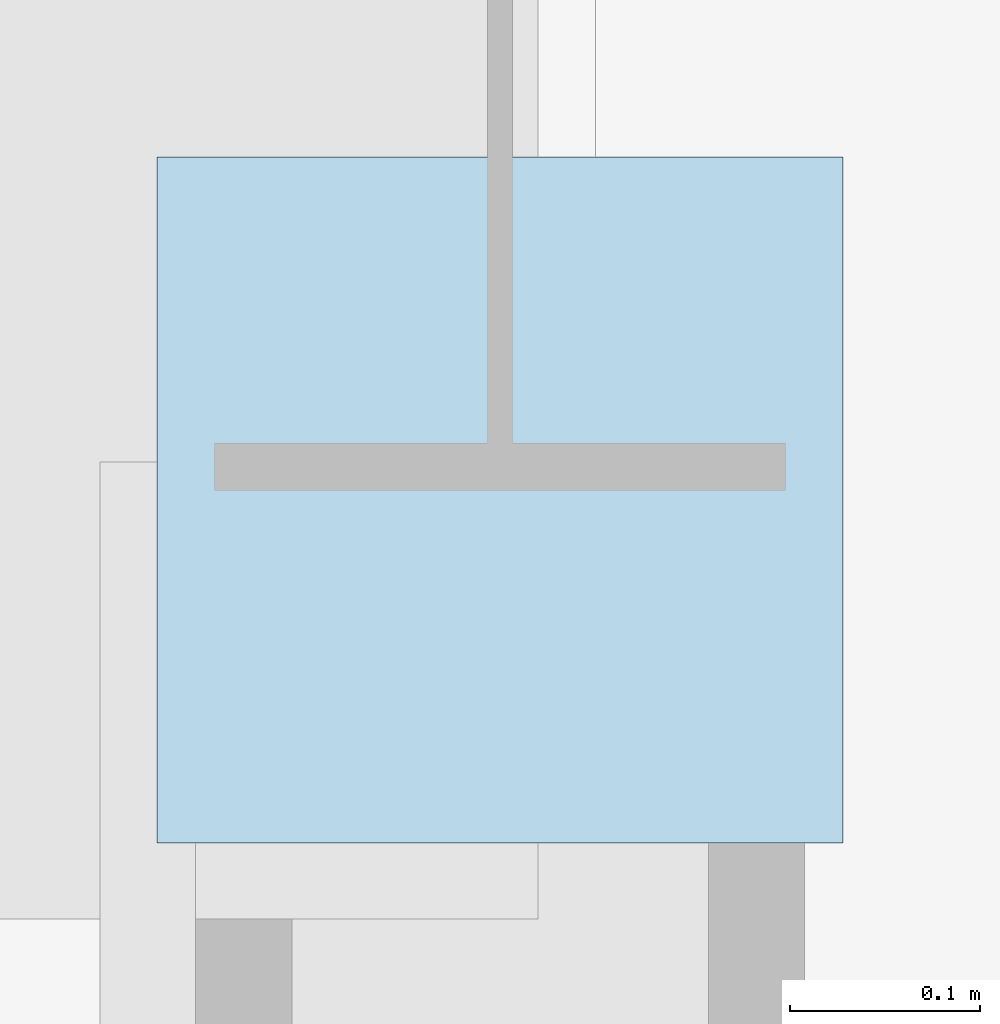
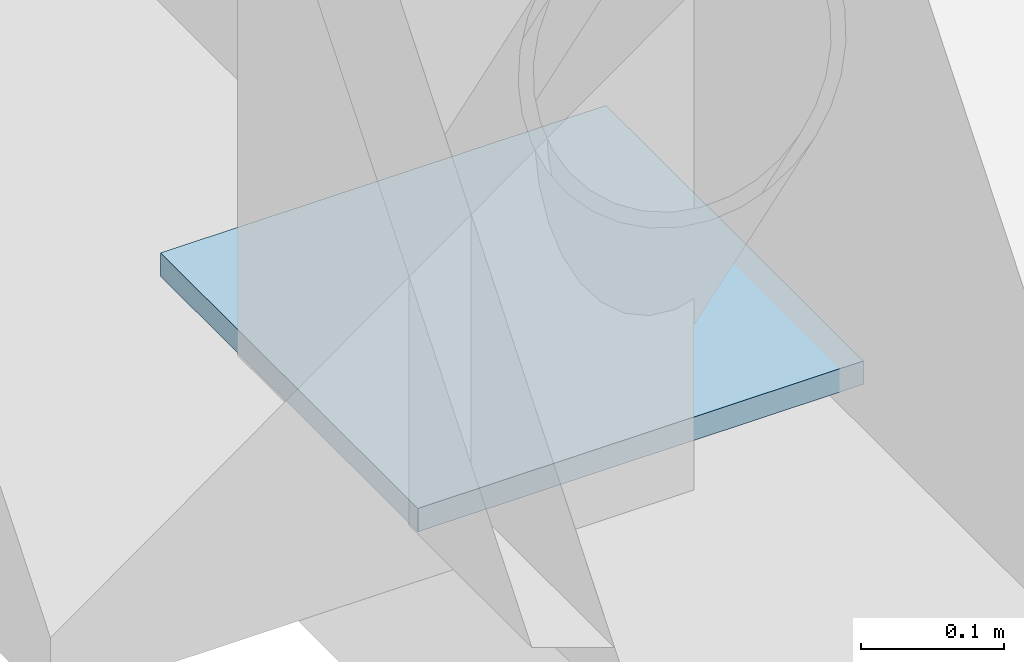
# One storey, part 50 of 85: 1 plate.
"""IFC4 building model written with IfcOpenShell, lengths in metres."""

import ifcopenshell
import ifcopenshell.guid

model = None  # the IFC model being written
_history = None  # IfcOwnerHistory: only IFC2X3 demands one
_inside = {}  # id of a spatial element -> (the spatial element, [elements in it])
_under = {}  # id of a project, library or spatial element -> (it, [spatial elements below it])
_declared = {}  # id of a project -> (the project, [libraries it declares])
_typed = {}  # id of a type object -> (the type object, [elements of that type])
_made_of = {}  # id of a material, layer set ... -> (it, [elements and type objects made of it])


def new_model(schema):
    """Start an empty IFC model of exactly this schema.

    Asked for "IFC4X3", IfcOpenShell would pick the latest addendum, in which some entities
    have other attributes; the version numbers below select the first issue.
    IFC2X3 requires an IfcOwnerHistory on every rooted entity: one is made here for all.
    """
    global model, _history
    if schema == "IFC4X3":
        model = ifcopenshell.file(schema_version=(4, 3, 0, 0))
    else:
        model = ifcopenshell.file(schema=schema)
    _inside.clear()
    _under.clear()
    _declared.clear()
    _typed.clear()
    _made_of.clear()
    _history = None
    if model.schema == "IFC2X3":
        org = make("IfcOrganization", Name="unknown")
        user = make(
            "IfcPersonAndOrganization",
            ThePerson=make("IfcPerson", FamilyName="unknown"),
            TheOrganization=org,
        )
        app = make(
            "IfcApplication",
            ApplicationDeveloper=org,
            Version="unknown",
            ApplicationFullName="unknown",
            ApplicationIdentifier="unknown",
        )
        _history = make(
            "IfcOwnerHistory",
            OwningUser=user,
            OwningApplication=app,
            ChangeAction="ADDED",
            CreationDate=0,
        )
    return model


def make(cls, **values):
    """One entity of the class cls with the attributes given. An attribute that is None is left unset."""
    return model.create_entity(
        cls, **{name: value for name, value in values.items() if value is not None}
    )


def rooted(cls, **values):
    """An entity with a GlobalId (a new one), such as an element, a storey or a relation."""
    return make(cls, GlobalId=ifcopenshell.guid.new(), OwnerHistory=_history, **values)


def si_unit(unit_type, name, prefix=None):
    """IfcSIUnit, for example si_unit("LENGTHUNIT", "METRE", prefix="MILLI")."""
    return make("IfcSIUnit", UnitType=unit_type, Prefix=prefix, Name=name)


def assignment(units):
    """IfcUnitAssignment: the units of a project."""
    return None if units is None else make("IfcUnitAssignment", Units=units)


def point(xyz):
    """IfcCartesianPoint."""
    return None if xyz is None else make("IfcCartesianPoint", Coordinates=xyz)


def direction(xyz):
    """IfcDirection."""
    return None if xyz is None else make("IfcDirection", DirectionRatios=xyz)


def frame(location, z_axis=None, x_axis=None):
    """IfcAxis2Placement3D, a coordinate frame: its origin and axes. An axis left out is left unset."""
    return make(
        "IfcAxis2Placement3D",
        Location=point(location),
        Axis=direction(z_axis),
        RefDirection=direction(x_axis),
    )


def frame_2d(location, x_axis=None):
    """IfcAxis2Placement2D, a coordinate frame in the plane: its origin and x axis."""
    return make(
        "IfcAxis2Placement2D", Location=point(location), RefDirection=direction(x_axis)
    )


def origin():
    """The frame at (0, 0, 0) with its axes left unset."""
    return frame((0.0, 0.0, 0.0))


def origin_2d():
    """The frame at (0, 0) in the plane with its x axis left unset."""
    return frame_2d((0.0, 0.0))


def place(relative_to, where):
    """IfcLocalPlacement: puts the frame where relative to a parent placement (None: the world)."""
    return make(
        "IfcLocalPlacement", PlacementRelTo=relative_to, RelativePlacement=where
    )


def context(
    kind, dimensions, precision=None, world=None, true_north=None, identifier=None
):
    """IfcGeometricRepresentationContext, for example the 3D "Model" context."""
    return make(
        "IfcGeometricRepresentationContext",
        ContextIdentifier=identifier,
        ContextType=kind,
        CoordinateSpaceDimension=dimensions,
        Precision=precision,
        WorldCoordinateSystem=world,
        TrueNorth=true_north,
    )


def subcontext(parent, identifier, kind, view, scale=None):
    """IfcGeometricRepresentationSubContext, for example "Body" below "Model"."""
    return make(
        "IfcGeometricRepresentationSubContext",
        ContextIdentifier=identifier,
        ContextType=kind,
        ParentContext=parent,
        TargetScale=scale,
        TargetView=view,
    )


def project(units=None, contexts=None):
    """IfcProject with its units and contexts."""
    return rooted(
        "IfcProject",
        Name="project",
        RepresentationContexts=contexts,
        UnitsInContext=assignment(units),
    )


def spatial(cls, under=None, at=None, **own):
    """A site, building, storey or space (cls), placed at a placement, below another one or the project."""
    s = rooted(cls, ObjectPlacement=at, **own)
    if under is not None:
        _under.setdefault(under.id(), (under, []))[1].append(s)
    return s


def profile(cls, at=None, kind="AREA", **sizes):
    """A parametric profile (cls). Its sizes go by their IFC names, for example OverallWidth=200.0."""
    return make(cls, ProfileType=kind, Position=at, **sizes)


def rectangle(**sizes):
    """IfcRectangleProfileDef."""
    return profile("IfcRectangleProfileDef", **sizes)


def extrude(swept, where, along, depth):
    """IfcExtrudedAreaSolid: the profile swept, set in the frame where, extruded along a direction by depth."""
    return make(
        "IfcExtrudedAreaSolid",
        SweptArea=swept,
        Position=where,
        ExtrudedDirection=direction(along),
        Depth=depth,
    )


def shape(context_of_items, identifier, shape_type, items):
    """IfcShapeRepresentation: the items that make up one representation, for example the "Body"."""
    return make(
        "IfcShapeRepresentation",
        ContextOfItems=context_of_items,
        RepresentationIdentifier=identifier,
        RepresentationType=shape_type,
        Items=items,
    )


def material(Name=None, Category=None):
    """IfcMaterial."""
    return make("IfcMaterial", Name=Name, Category=Category)


def layer(
    of_material, thickness, ventilated=None, Name=None, Category=None, Priority=None
):
    """IfcMaterialLayer: one layer of a wall or slab, of a material (None: an air gap)."""
    return make(
        "IfcMaterialLayer",
        Material=of_material,
        LayerThickness=thickness,
        IsVentilated=ventilated,
        Name=Name,
        Category=Category,
        Priority=Priority,
    )


def layer_set(layers, Name=None):
    """IfcMaterialLayerSet."""
    return make("IfcMaterialLayerSet", MaterialLayers=layers, LayerSetName=Name)


def made_of(thing, what):
    """Note that an element or type object is made of a material, layer set ...; save() writes the relation."""
    if what is not None:
        _made_of.setdefault(what.id(), (what, []))[1].append(thing)
    return thing


def type_object(cls, material=None, **own):
    """A type object (cls), such as IfcWallType, which elements share."""
    return made_of(rooted(cls, **own), material)


def element(
    cls,
    number,
    at=None,
    inside=None,
    cuts=None,
    type_object=None,
    material=None,
    context=None,
    identifier="Body",
    shape_type=None,
    held_by="IfcProductDefinitionShape",
    body=None,
    shapes=None,
    **own,
):
    """One element of the class cls, such as IfcWall. Its Tag is "e" and its number.

    at: its placement. inside: the storey or other place that contains it. cuts: it is an
    opening in that element (IfcRelVoidsElement). A single representation is given by context,
    identifier, shape_type and body (its items); several are given by shapes. held_by: the class
    of the entity that holds the representations. save() writes the other relations.
    """
    e = rooted(cls, Tag="e%d" % number, ObjectPlacement=at, **own)
    if body is not None:
        shapes = [shape(context, identifier, shape_type, body)]
    if shapes is not None:
        e.Representation = make(held_by, Representations=shapes)
    if inside is not None:
        _inside.setdefault(inside.id(), (inside, []))[1].append(e)
    if cuts is not None:
        rooted(
            "IfcRelVoidsElement", RelatingBuildingElement=cuts, RelatedOpeningElement=e
        )
    if type_object is not None:
        _typed.setdefault(type_object.id(), (type_object, []))[1].append(e)
    return made_of(e, material)


def aggregate(whole, parts):
    """IfcRelAggregates: a whole, such as a stair, and the parts it consists of."""
    return rooted("IfcRelAggregates", RelatingObject=whole, RelatedObjects=parts)


def save(model, path):
    """Write the relations noted so far, then the file.

    IfcRelAggregates (storeys below a building ...), IfcRelContainedInSpatialStructure (elements
    in a storey), IfcRelDefinesByType, IfcRelAssociatesMaterial and IfcRelDeclares: one each for
    every whole, place, type object, material and project.
    """
    for whole, parts in _under.values():
        aggregate(whole, parts)
    for where, things in _inside.values():
        rooted(
            "IfcRelContainedInSpatialStructure",
            RelatedElements=things,
            RelatingStructure=where,
        )
    for kind, things in _typed.values():
        rooted("IfcRelDefinesByType", RelatedObjects=things, RelatingType=kind)
    for what, things in _made_of.values():
        rooted("IfcRelAssociatesMaterial", RelatedObjects=things, RelatingMaterial=what)
    for by, libraries in _declared.values():
        rooted("IfcRelDeclares", RelatingContext=by, RelatedDefinitions=libraries)
    model.write(path)


model = new_model("IFC4")

# Units and contexts
model_context = context("Model", 3, precision=1e-05, world=origin(), true_north=direction((0.0, 1.0)))
body_context = subcontext(model_context, "Body", "Model", "MODEL_VIEW")
ifc_project = project(units=[si_unit("LENGTHUNIT", "METRE"), si_unit("AREAUNIT", "SQUARE_METRE"), si_unit("VOLUMEUNIT", "CUBIC_METRE"), si_unit("PLANEANGLEUNIT", "RADIAN"), si_unit("MASSUNIT", "GRAM", prefix="KILO")], contexts=[model_context])

# Site, building, storey
site_placement = place(None, origin())
site = spatial("IfcSite", under=ifc_project, at=site_placement, CompositionType="ELEMENT")
building_placement = place(site_placement, origin())
building = spatial("IfcBuilding", under=site, at=building_placement, Name="Sardonyx Promenade Sports Hall", CompositionType="ELEMENT")
storey_placement = place(building_placement, origin())
storey = spatial("IfcBuildingStorey", under=building, at=storey_placement, Name="L00", CompositionType="ELEMENT", Elevation=0.0)

# Plate
ifc_material = material(Name="Steel S355JR", Category="steel")
ifc_layer = layer(ifc_material, 0.02001953125)
ifc_layer_set = layer_set([ifc_layer], Name="Plt_EndCap_EC1")
plate_type = type_object("IfcPlateType", Name="Plt_EndCap_EC1", PredefinedType="USERDEFINED", material=ifc_layer_set)
plate_placement = place(storey_placement, frame((0.0, 64.5, 0.010009765625), z_axis=(0.0, 0.0, 1.0), x_axis=(1.0, 0.0, 0.0)))
element("IfcPlate", 1, at=plate_placement, inside=storey, type_object=plate_type, Name="Brace foot end-cap plate EC1 BF2 L00 L2", ObjectType="END CAP PLATE", PredefinedType="USERDEFINED", context=body_context, shape_type="SweptSolid", body=[
    extrude(rectangle(XDim=0.360107421875, YDim=0.360107421875, at=origin_2d()), origin(), (0.0, 0.0, 1.0), 0.02001953125),
])

save(model, "model.ifc")
